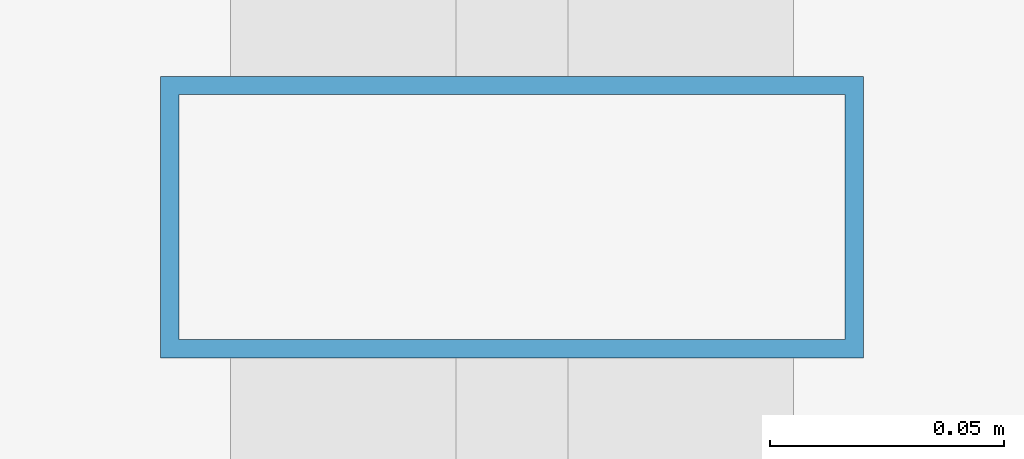
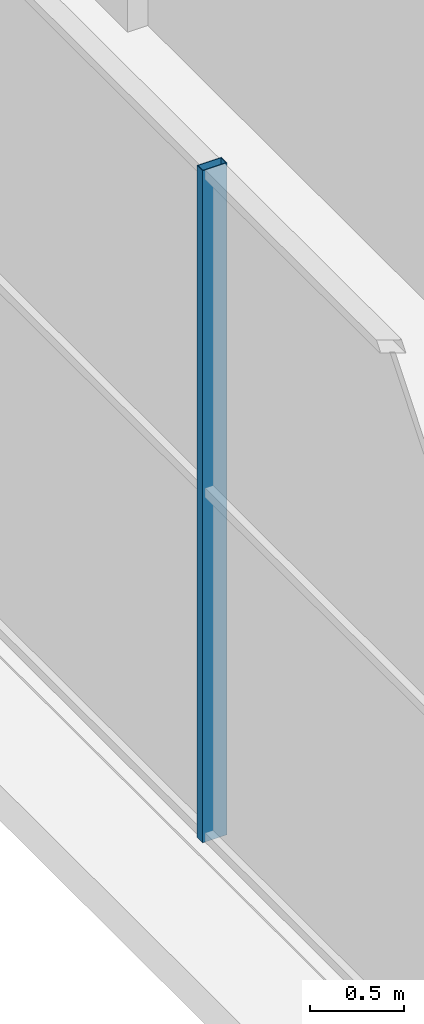
# One storey, part 14 of 28: 1 member, 1 element without a shape of its own.
"""IFC4 building model written with IfcOpenShell, lengths in metres."""

from ifc_helpers import new_model, si_unit, direction, frame, origin, origin_2d, place, context, subcontext, project, spatial, hollow_rectangle, extrude, source, transform, mapped, material, layer, layer_set, material_profile, profile_set, type_object, element, aggregate, save


model = new_model("IFC4")

# Units and contexts
model_context = context("Model", 3, precision=1e-05, world=origin(), true_north=direction((0.0, 1.0)))
body_context = subcontext(model_context, "Body", "Model", "MODEL_VIEW")
ifc_project = project(units=[si_unit("LENGTHUNIT", "METRE"), si_unit("AREAUNIT", "SQUARE_METRE"), si_unit("VOLUMEUNIT", "CUBIC_METRE"), si_unit("PLANEANGLEUNIT", "RADIAN"), si_unit("MASSUNIT", "GRAM", prefix="KILO")], contexts=[model_context])

# Site, building, storey
site_placement = place(None, origin())
site = spatial("IfcSite", under=ifc_project, at=site_placement, CompositionType="ELEMENT")
building_placement = place(site_placement, origin())
building = spatial("IfcBuilding", under=site, at=building_placement, Name="Zarnakvel Exchange Tower", CompositionType="ELEMENT")
storey_placement = place(building_placement, frame((0.0, 0.0, 290.0)))
storey = spatial("IfcBuildingStorey", under=building, at=storey_placement, Name="Crown L81", CompositionType="ELEMENT", Elevation=290.0)

# Curtain wall, member
ifc_material = material(Name="Architectural Bronze Anodised Aluminium", Category="aluminium")
ifc_layer = layer(ifc_material, 0.14990234375)
ifc_layer_set = layer_set([ifc_layer], Name="Architectural Bronze Anodised Aluminium")
curtain_wall_type = type_object("IfcCurtainWallType", Name="CW-07", PredefinedType="NOTDEFINED", material=ifc_layer_set)
curtain_wall_placement = place(storey_placement, origin())
curtain_wall = element("IfcCurtainWall", 1, at=curtain_wall_placement, inside=storey, type_object=curtain_wall_type, Name="Crown L81 Curtain Wall CW-Crown L81-W (CW-07)", PredefinedType="NOTDEFINED")
ifc_material_profile = material_profile(ifc_material, hollow_rectangle(XDim=0.14990234375, YDim=0.06005859375, WallThickness=0.00390625, at=origin_2d()))
ifc_profile_set = profile_set([ifc_material_profile], Name="Architectural Bronze Anodised Aluminium")
member_type = type_object("IfcMemberType", Name="CWM-07", PredefinedType="MULLION", material=ifc_profile_set)
shared_shape = source(origin(), body_context, "Body", "SweptSolid", [
    extrude(hollow_rectangle(XDim=0.14990234375, YDim=0.06005859375, WallThickness=0.00390625, at=origin_2d()), origin(), (0.0, 0.0, 1.0), 4.360107421875),
])
member_placement = place(storey_placement, frame((-18.159912109375, 6.39990234375, 0.0), z_axis=(0.0, 0.0, 1.0), x_axis=(-1.0, 0.0, 0.0)))
member = element("IfcMember", 2, at=member_placement, type_object=member_type, Name="CW-07 mullion 4", PredefinedType="MULLION", context=body_context, shape_type="MappedRepresentation", body=[
    mapped(shared_shape, transform((0.0, 0.0, 0.0), x_axis=(1.0, 0.0, 0.0), y_axis=(0.0, 1.0, 0.0), z_axis=(0.0, 0.0, 1.0), scale=1.0)),
])
aggregate(curtain_wall, [member])

save(model, "model.ifc")
